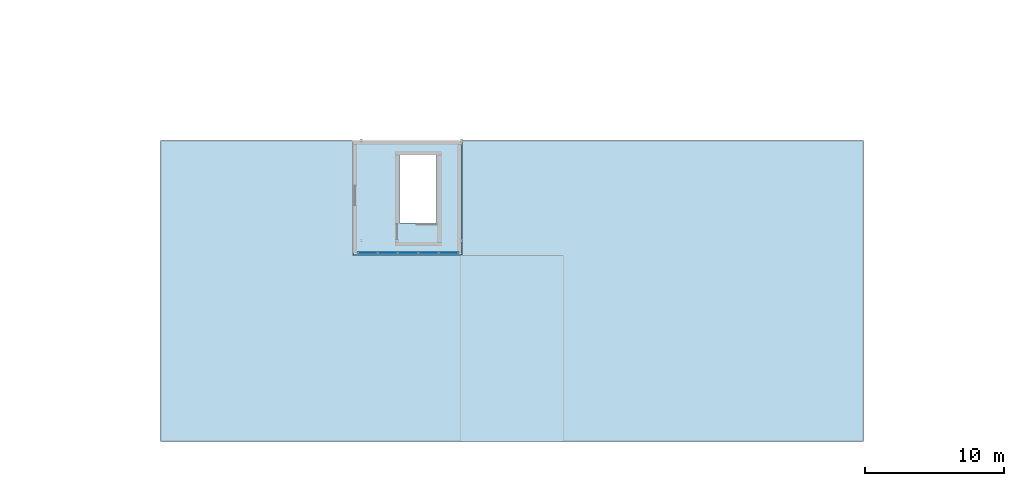
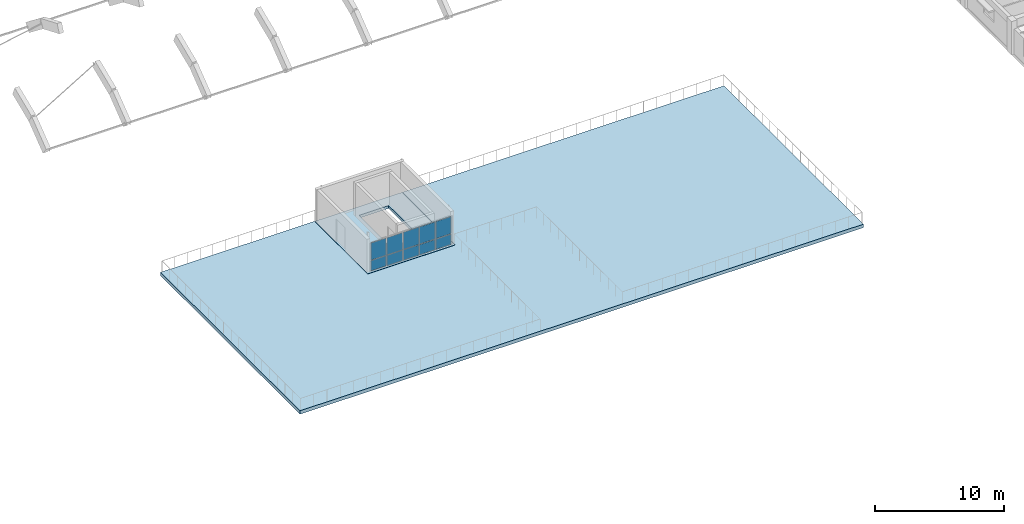
# One storey, part 20 of 64: 10 plates, 2 slabs, 1 element without a shape of its own.
"""IFC4 building model written with IfcOpenShell, lengths in metres."""

from ifc_helpers import new_model, si_unit, direction, frame, origin, origin_2d, place, context, subcontext, project, spatial, polyline, rectangle, outline, extrude, material, layer, layer_set, type_object, element, aggregate, save


model = new_model("IFC4")

# Units and contexts
model_context = context("Model", 3, precision=1e-05, world=origin(), true_north=direction((0.0, 1.0)))
body_context = subcontext(model_context, "Body", "Model", "MODEL_VIEW")
ifc_project = project(units=[si_unit("LENGTHUNIT", "METRE"), si_unit("AREAUNIT", "SQUARE_METRE"), si_unit("VOLUMEUNIT", "CUBIC_METRE"), si_unit("PLANEANGLEUNIT", "RADIAN"), si_unit("MASSUNIT", "GRAM", prefix="KILO")], contexts=[model_context])

# Site, building, storey
site_placement = place(None, origin())
site = spatial("IfcSite", under=ifc_project, at=site_placement, CompositionType="ELEMENT")
building_placement = place(site_placement, origin())
building = spatial("IfcBuilding", under=site, at=building_placement, Name="Ochrevale Crest", CompositionType="ELEMENT")
storey_placement = place(building_placement, frame((0.0, 0.0, 8.699951171875)))
storey = spatial("IfcBuildingStorey", under=building, at=storey_placement, Name="L02", CompositionType="ELEMENT", Elevation=8.699951171875)

# Curtain wall, plates
ifc_material_1 = material(Name="Anodised aluminium 6063-T5", Category="aluminium")
ifc_layer_1 = layer(ifc_material_1, 0.14990234375)
ifc_layer_set_1 = layer_set([ifc_layer_1], Name="Anodised aluminium 6063-T5")
curtain_wall_type = type_object("IfcCurtainWallType", Name="CW-RG-300x275", PredefinedType="NOTDEFINED", material=ifc_layer_set_1)
curtain_wall_placement = place(storey_placement, origin())
curtain_wall = element("IfcCurtainWall", 1, at=curtain_wall_placement, inside=storey, type_object=curtain_wall_type, Name="South roof-garden sunroom south curtain wall", PredefinedType="NOTDEFINED")
ifc_material_2 = material(Name="Double-glazed low-E insulated glass unit", Category="glass")
ifc_layer_2 = layer(ifc_material_2, 0.028076171875)
ifc_layer_set_2 = layer_set([ifc_layer_2], Name="Double-glazed low-E insulated glass unit")
plate_type = type_object("IfcPlateType", Name="CW-PNL-IGU28", PredefinedType="CURTAIN_PANEL", material=ifc_layer_set_2)
plate_1_placement = place(storey_placement, frame((72.4462890625, 20.75, 0.05517578125), z_axis=(0.0, 0.0, 1.0), x_axis=(1.0, 0.0, 0.0)))
plate_1 = element("IfcPlate", 2, at=plate_1_placement, type_object=plate_type, Name="CW14 panel 1.1", PredefinedType="CURTAIN_PANEL", context=body_context, shape_type="SweptSolid", body=[
    extrude(rectangle(XDim=1.362548828125, YDim=0.028076171875, at=origin_2d()), origin(), (0.0, 0.0, 1.0), 0.967529296875),
])
plate_2_placement = place(storey_placement, frame((72.4462890625, 20.75, 1.07763671875), z_axis=(0.0, 0.0, 1.0), x_axis=(1.0, 0.0, 0.0)))
plate_2 = element("IfcPlate", 3, at=plate_2_placement, type_object=plate_type, Name="CW14 panel 1.2", PredefinedType="CURTAIN_PANEL", context=body_context, shape_type="SweptSolid", body=[
    extrude(rectangle(XDim=1.362548828125, YDim=0.028076171875, at=origin_2d()), origin(), (0.0, 0.0, 1.0), 1.617431640625),
])
plate_3_placement = place(storey_placement, frame((73.889892578125, 20.75, 0.05517578125), z_axis=(0.0, 0.0, 1.0), x_axis=(1.0, 0.0, 0.0)))
plate_3 = element("IfcPlate", 4, at=plate_3_placement, type_object=plate_type, Name="CW14 panel 2.1", PredefinedType="CURTAIN_PANEL", context=body_context, shape_type="SweptSolid", body=[
    extrude(rectangle(XDim=1.39501953125, YDim=0.028076171875, at=origin_2d()), origin(), (0.0, 0.0, 1.0), 0.967529296875),
])
plate_4_placement = place(storey_placement, frame((73.889892578125, 20.75, 1.07763671875), z_axis=(0.0, 0.0, 1.0), x_axis=(1.0, 0.0, 0.0)))
plate_4 = element("IfcPlate", 5, at=plate_4_placement, type_object=plate_type, Name="CW14 panel 2.2", PredefinedType="CURTAIN_PANEL", context=body_context, shape_type="SweptSolid", body=[
    extrude(rectangle(XDim=1.39501953125, YDim=0.028076171875, at=origin_2d()), origin(), (0.0, 0.0, 1.0), 1.617431640625),
])
plate_5_placement = place(storey_placement, frame((75.35009765625, 20.75, 0.05517578125), z_axis=(0.0, 0.0, 1.0), x_axis=(1.0, 0.0, 0.0)))
plate_5 = element("IfcPlate", 6, at=plate_5_placement, type_object=plate_type, Name="CW14 panel 3.1", PredefinedType="CURTAIN_PANEL", context=body_context, shape_type="SweptSolid", body=[
    extrude(rectangle(XDim=1.39501953125, YDim=0.028076171875, at=origin_2d()), origin(), (0.0, 0.0, 1.0), 0.967529296875),
])
plate_6_placement = place(storey_placement, frame((75.35009765625, 20.75, 1.07763671875), z_axis=(0.0, 0.0, 1.0), x_axis=(1.0, 0.0, 0.0)))
plate_6 = element("IfcPlate", 7, at=plate_6_placement, type_object=plate_type, Name="CW14 panel 3.2", PredefinedType="CURTAIN_PANEL", context=body_context, shape_type="SweptSolid", body=[
    extrude(rectangle(XDim=1.39501953125, YDim=0.028076171875, at=origin_2d()), origin(), (0.0, 0.0, 1.0), 1.617431640625),
])
plate_7_placement = place(storey_placement, frame((76.81005859375, 20.75, 0.05517578125), z_axis=(0.0, 0.0, 1.0), x_axis=(1.0, 0.0, 0.0)))
plate_7 = element("IfcPlate", 8, at=plate_7_placement, type_object=plate_type, Name="CW14 panel 4.1", PredefinedType="CURTAIN_PANEL", context=body_context, shape_type="SweptSolid", body=[
    extrude(rectangle(XDim=1.39501953125, YDim=0.028076171875, at=origin_2d()), origin(), (0.0, 0.0, 1.0), 0.967529296875),
])
plate_8_placement = place(storey_placement, frame((76.81005859375, 20.75, 1.07763671875), z_axis=(0.0, 0.0, 1.0), x_axis=(1.0, 0.0, 0.0)))
plate_8 = element("IfcPlate", 9, at=plate_8_placement, type_object=plate_type, Name="CW14 panel 4.2", PredefinedType="CURTAIN_PANEL", context=body_context, shape_type="SweptSolid", body=[
    extrude(rectangle(XDim=1.39501953125, YDim=0.028076171875, at=origin_2d()), origin(), (0.0, 0.0, 1.0), 1.617431640625),
])
plate_9_placement = place(storey_placement, frame((78.253662109375, 20.75, 0.05517578125), z_axis=(0.0, 0.0, 1.0), x_axis=(1.0, 0.0, 0.0)))
plate_9 = element("IfcPlate", 10, at=plate_9_placement, type_object=plate_type, Name="CW14 panel 5.1", PredefinedType="CURTAIN_PANEL", context=body_context, shape_type="SweptSolid", body=[
    extrude(rectangle(XDim=1.362548828125, YDim=0.028076171875, at=origin_2d()), origin(), (0.0, 0.0, 1.0), 0.967529296875),
])
plate_10_placement = place(storey_placement, frame((78.253662109375, 20.75, 1.07763671875), z_axis=(0.0, 0.0, 1.0), x_axis=(1.0, 0.0, 0.0)))
plate_10 = element("IfcPlate", 11, at=plate_10_placement, type_object=plate_type, Name="CW14 panel 5.2", PredefinedType="CURTAIN_PANEL", context=body_context, shape_type="SweptSolid", body=[
    extrude(rectangle(XDim=1.362548828125, YDim=0.028076171875, at=origin_2d()), origin(), (0.0, 0.0, 1.0), 1.617431640625),
])
aggregate(curtain_wall, [plate_1, plate_2, plate_3, plate_4, plate_5, plate_6, plate_7, plate_8, plate_9, plate_10])

# Slabs
ifc_material_3 = material(Name="Precast concrete C40/50", Category="concrete")
ifc_layer_3 = layer(ifc_material_3, 0.27490234375)
ifc_layer_set_3 = layer_set([ifc_layer_3], Name="Precast concrete C40/50")
slab_type_1 = type_object("IfcSlabType", Name="SLB-RES-275", PredefinedType="FLOOR", material=ifc_layer_set_3)
slab_1_placement = place(storey_placement, frame((0.0, 0.0, -0.27490234375)))
element("IfcSlab", 12, at=slab_1_placement, inside=storey, type_object=slab_type_1, Name="Retail roof-garden stair lobby floor slab", PredefinedType="FLOOR", context=body_context, shape_type="SweptSolid", body=[
    extrude(outline(polyline([(71.39990234375, 20.60009765625), (79.199951171875, 20.60009765625), (79.199951171875, 28.800048828125), (71.39990234375, 28.800048828125), (71.39990234375, 20.60009765625)]), holes=[polyline([(77.39990234375, 22.875), (77.39990234375, 27.77490234375), (74.75, 27.77490234375), (74.75, 22.875), (77.39990234375, 22.875)])]), origin(), (0.0, 0.0, 1.0), 0.27490234375),
])
ifc_material_4 = material(Name="Concrete C40/50", Category="concrete")
ifc_layer_4 = layer(ifc_material_4, 0.324951171875)
ifc_layer_set_4 = layer_set([ifc_layer_4], Name="Concrete C40/50")
slab_type_2 = type_object("IfcSlabType", Name="SLB-RG-310", PredefinedType="FLOOR", material=ifc_layer_set_4)
slab_2_placement = place(storey_placement, frame((0.0, 0.0, -0.324951171875)))
element("IfcSlab", 13, at=slab_2_placement, inside=storey, type_object=slab_type_2, Name="Planted resident roof garden slab over Boulevard Retail Arcade", PredefinedType="FLOOR", context=body_context, shape_type="SweptSolid", body=[
    extrude(outline(polyline([(57.60009765625, 7.199951171875), (108.0, 7.199951171875), (108.0, 28.800048828125), (79.219970703125, 28.800048828125), (79.219970703125, 20.580078125), (71.3798828125, 20.580078125), (71.3798828125, 28.800048828125), (57.60009765625, 28.800048828125), (57.60009765625, 7.199951171875)])), origin(), (0.0, 0.0, 1.0), 0.324951171875),
])

save(model, "model.ifc")
